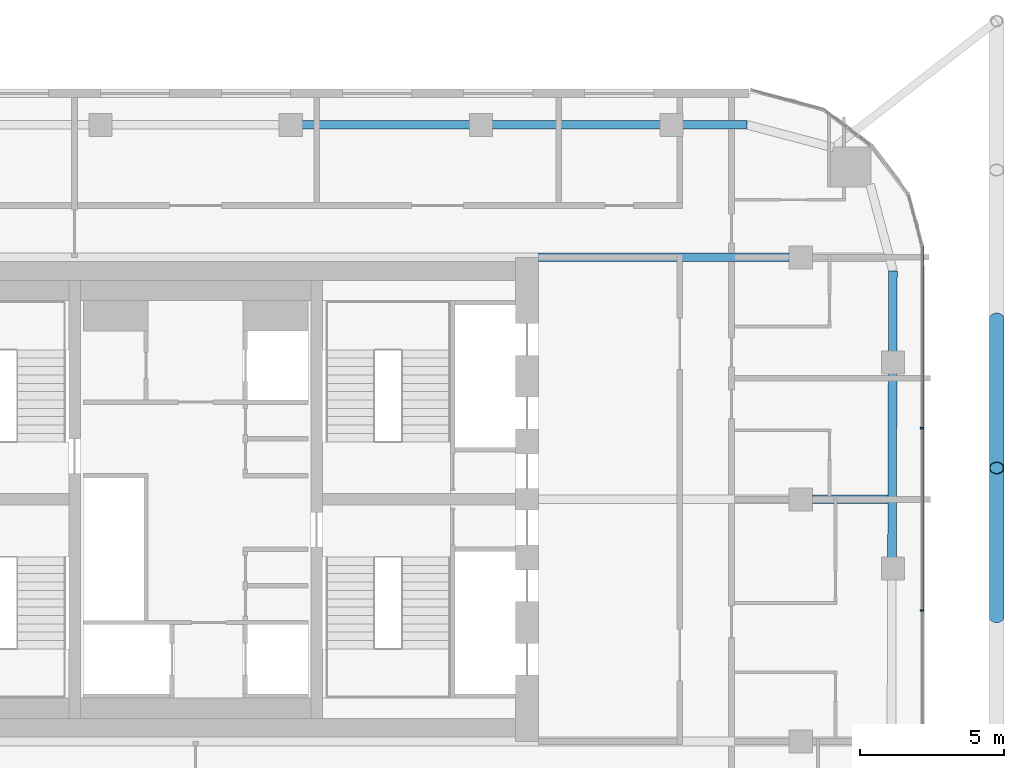
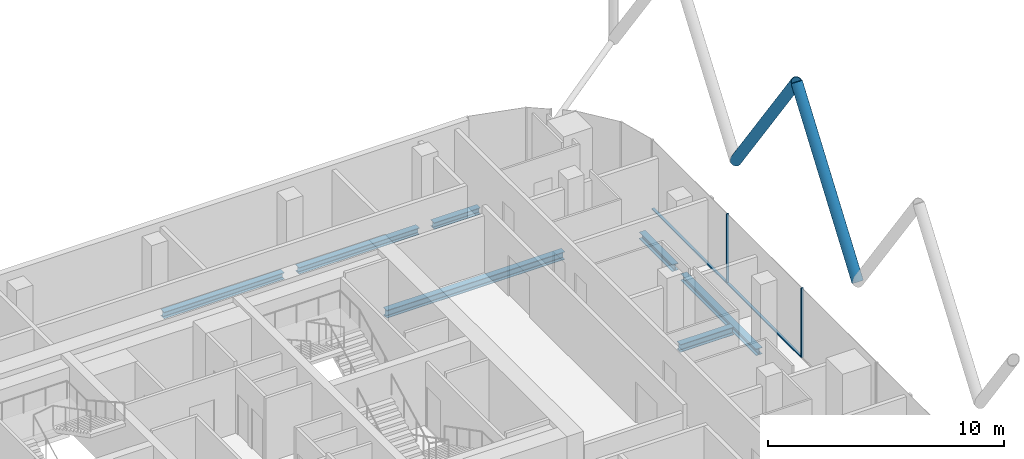
# One storey, part 10 of 28: 7 beams, 6 members, 1 element without a shape of its own.
"""IFC4 building model written with IfcOpenShell, lengths in metres."""

from ifc_helpers import new_model, si_unit, direction, frame, origin, origin_2d, place, context, subcontext, project, spatial, rectangle, hollow_circle, i_section, extrude, material, layer, layer_set, material_profile, profile_set, type_object, element, aggregate, save


model = new_model("IFC4")

# Units and contexts
model_context = context("Model", 3, precision=1e-05, world=origin(), true_north=direction((0.0, 1.0)))
body_context = subcontext(model_context, "Body", "Model", "MODEL_VIEW")
ifc_project = project(units=[si_unit("LENGTHUNIT", "METRE"), si_unit("AREAUNIT", "SQUARE_METRE"), si_unit("VOLUMEUNIT", "CUBIC_METRE"), si_unit("PLANEANGLEUNIT", "RADIAN"), si_unit("MASSUNIT", "GRAM", prefix="KILO")], contexts=[model_context])

# Site, building, storey
site_placement = place(None, origin())
site = spatial("IfcSite", under=ifc_project, at=site_placement, CompositionType="ELEMENT")
building_placement = place(site_placement, origin())
building = spatial("IfcBuilding", under=site, at=building_placement, Name="Marenta Gate Hotel Tower", CompositionType="ELEMENT")
storey_placement = place(building_placement, frame((0.0, 0.0, 212.89990234375)))
storey = spatial("IfcBuildingStorey", under=building, at=storey_placement, Name="L49", CompositionType="ELEMENT", Elevation=212.89990234375)

# Members
ifc_material_1 = material(Name="Steel S355J2W", Category="steel")
ifc_material_profile_1 = material_profile(ifc_material_1, hollow_circle(Radius=0.25390625, WallThickness=0.02490234375, at=origin_2d()), Name="CHS 508x25")
ifc_profile_set_1 = profile_set([ifc_material_profile_1], Name="Steel S355J2W")
member_type_1 = type_object("IfcMemberType", Name="Diagrid diagonal Z3 CHS 508x25", PredefinedType="BRACE", material=ifc_profile_set_1)
member_1_placement = place(storey_placement, frame((27.800048828125, 14.659912109375, 3.14013671875), z_axis=(0.0, -0.583260841117, 0.812284919975), x_axis=(1.0, 0.0, 0.0)))
element("IfcMember", 1, at=member_1_placement, inside=storey, type_object=member_type_1, Name="L49-DG-3", PredefinedType="BRACE", context=body_context, shape_type="SweptSolid", body=[
    extrude(hollow_circle(Radius=0.25390625, WallThickness=0.02490234375, at=origin_2d()), origin(), (0.0, 0.0, 1.0), 8.86376953125),
])
member_2_placement = place(storey_placement, frame((27.800048828125, 4.31982421875, 3.14013671875), z_axis=(0.0, 0.583279014058, 0.812271870595), x_axis=(-1.0, 0.0, 0.0)))
element("IfcMember", 2, at=member_2_placement, inside=storey, type_object=member_type_1, Name="L49-DG-4", PredefinedType="BRACE", context=body_context, shape_type="SweptSolid", body=[
    extrude(hollow_circle(Radius=0.25390625, WallThickness=0.02490234375, at=origin_2d()), origin(), (0.0, 0.0, 1.0), 8.864013671875),
])

# Beams
ifc_material_2 = material(Name="Steel S355", Category="steel")
ifc_material_profile_2 = material_profile(ifc_material_2, i_section(OverallWidth=0.300048828125, OverallDepth=0.340087890625, WebThickness=0.011962890625, FlangeThickness=0.021484375, FilletRadius=0.027099609375, at=origin_2d()), Name="HEB 340")
ifc_profile_set_2 = profile_set([ifc_material_profile_2], Name="Steel S355")
beam_type_1 = type_object("IfcBeamType", Name="Edge beam HEB 340", PredefinedType="SPANDREL", material=ifc_profile_set_2)
for number, where, z_axis, x_axis, name in (
    (3, (3.661376953125, 21.39990234375, -0.429931640625), (1.0, 0.0, 0.0), (0.0, 1.0, 0.0), "L49-EB-17"),
    (4, (10.26416015625, 21.39990234375, -0.429931640625), (1.0, 0.0, 0.0), (0.0, 1.0, 0.0), "L49-EB-18"),
):
    element("IfcBeam", number, at=place(storey_placement, frame(where, z_axis=z_axis, x_axis=x_axis)), inside=storey, type_object=beam_type_1, Name=name, PredefinedType="SPANDREL", context=body_context, shape_type="SweptSolid", body=[
        extrude(i_section(OverallWidth=0.300048828125, OverallDepth=0.340087890625, WebThickness=0.011962890625, FlangeThickness=0.021484375, FilletRadius=0.027099609375, at=origin_2d()), origin(), (0.0, 0.0, 1.0), 5.8828125),
    ])
beam_1_placement = place(storey_placement, frame((16.866943359375, 21.39990234375, -0.429931640625), z_axis=(1.0, 0.0, 0.0), x_axis=(0.0, 1.0, 0.0)))
element("IfcBeam", 5, at=beam_1_placement, inside=storey, type_object=beam_type_1, Name="L49-EB-19", PredefinedType="SPANDREL", context=body_context, shape_type="SweptSolid", body=[
    extrude(i_section(OverallWidth=0.300048828125, OverallDepth=0.340087890625, WebThickness=0.011962890625, FlangeThickness=0.021484375, FilletRadius=0.027099609375, at=origin_2d()), origin(), (0.0, 0.0, 1.0), 2.267578125),
])
beam_2_placement = place(storey_placement, frame((24.199951171875, 16.33447265625, -0.429931640625), z_axis=(-0.003292020626, -0.999994581285, 0.0), x_axis=(0.999994581285, -0.003292020626, 0.0)))
element("IfcBeam", 6, at=beam_2_placement, inside=storey, type_object=beam_type_1, Name="L49-EB-22", PredefinedType="SPANDREL", context=body_context, shape_type="SweptSolid", body=[
    extrude(i_section(OverallWidth=0.300048828125, OverallDepth=0.340087890625, WebThickness=0.011962890625, FlangeThickness=0.021484375, FilletRadius=0.027099609375, at=origin_2d()), origin(), (0.0, 0.0, 1.0), 2.818115234375),
])
beam_3_placement = place(storey_placement, frame((24.188232421875, 12.79638671875, -0.429931640625), z_axis=(-0.00333963982, -0.999994423387, 0.0), x_axis=(0.999994423387, -0.00333963982, 0.0)))
element("IfcBeam", 7, at=beam_3_placement, inside=storey, type_object=beam_type_1, Name="L49-EB-23", PredefinedType="SPANDREL", context=body_context, shape_type="SweptSolid", body=[
    extrude(i_section(OverallWidth=0.300048828125, OverallDepth=0.340087890625, WebThickness=0.011962890625, FlangeThickness=0.021484375, FilletRadius=0.027099609375, at=origin_2d()), origin(), (0.0, 0.0, 1.0), 6.43310546875),
])
ifc_material_3 = material(Name="Steel S355", Category="steel")
ifc_material_profile_3 = material_profile(ifc_material_3, i_section(OverallWidth=0.300048828125, OverallDepth=0.39990234375, WebThickness=0.013427734375, FlangeThickness=0.02392578125, FilletRadius=0.027099609375, at=origin_2d()), Name="HEB 400")
ifc_profile_set_3 = profile_set([ifc_material_profile_3], Name="Steel S355")
beam_type_2 = type_object("IfcBeamType", Name="Girder HEB 400", PredefinedType="BEAM", material=ifc_profile_set_3)
beam_4_placement = place(storey_placement, frame((21.39990234375, 8.39990234375, -0.4599609375), z_axis=(1.0, 0.0, 0.0), x_axis=(0.0, 1.0, 0.0)))
element("IfcBeam", 8, at=beam_4_placement, inside=storey, type_object=beam_type_2, Name="L49-GD-28", PredefinedType="BEAM", context=body_context, shape_type="SweptSolid", body=[
    extrude(i_section(OverallWidth=0.300048828125, OverallDepth=0.39990234375, WebThickness=0.013427734375, FlangeThickness=0.02392578125, FilletRadius=0.027099609375, at=origin_2d()), origin(), (0.0, 0.0, 1.0), 2.623779296875),
])
beam_5_placement = place(storey_placement, frame((11.89990234375, 16.800048828125, -0.4599609375), z_axis=(1.0, 0.0, 0.0), x_axis=(0.0, 1.0, 0.0)))
element("IfcBeam", 9, at=beam_5_placement, inside=storey, type_object=beam_type_2, Name="L49-GD-32", PredefinedType="BEAM", context=body_context, shape_type="SweptSolid", body=[
    extrude(i_section(OverallWidth=0.300048828125, OverallDepth=0.39990234375, WebThickness=0.013427734375, FlangeThickness=0.02392578125, FilletRadius=0.027099609375, at=origin_2d()), origin(), (0.0, 0.0, 1.0), 8.7001953125),
])

# Curtain wall, members
ifc_material_4 = material(Name="Tinted insulated glass in bronze anodised frame", Category="glass")
ifc_layer = layer(ifc_material_4, 0.1201171875)
ifc_layer_set = layer_set([ifc_layer], Name="Tinted insulated glass in bronze anodised frame")
curtain_wall_type = type_object("IfcCurtainWallType", Name="Tower unitised curtain wall CW1", PredefinedType="NOTDEFINED", material=ifc_layer_set)
curtain_wall_placement = place(storey_placement, origin())
curtain_wall = element("IfcCurtainWall", 10, at=curtain_wall_placement, inside=storey, type_object=curtain_wall_type, Name="CW1 run G19", PredefinedType="NOTDEFINED")
ifc_material_5 = material(Name="Bronze anodised aluminium", Category="aluminium")
ifc_material_profile_4 = material_profile(ifc_material_5, rectangle(XDim=0.1201171875, YDim=0.06005859375, at=origin_2d()), Name="Mullion CW1 60x120 bronze anodised aluminium")
ifc_profile_set_4 = profile_set([ifc_material_profile_4], Name="Bronze anodised aluminium")
member_type_2 = type_object("IfcMemberType", Name="Mullion CW1 60x120 bronze anodised aluminium", PredefinedType="MULLION", material=ifc_profile_set_4)
member_3_placement = place(storey_placement, frame((25.214111328125, 4.546630859375, 0.0), z_axis=(0.0, 0.0, 1.0), x_axis=(-1.0, 0.0, 0.0)))
member_3 = element("IfcMember", 11, at=member_3_placement, type_object=member_type_2, Name="CW1 mullion 5", PredefinedType="MULLION", context=body_context, shape_type="SweptSolid", body=[
    extrude(rectangle(XDim=0.1201171875, YDim=0.06005859375, at=origin_2d()), origin(), (0.0, 0.0, 1.0), 3.60009765625),
])
member_4_placement = place(storey_placement, frame((25.214111328125, 10.869384765625, 0.0), z_axis=(0.0, 0.0, 1.0), x_axis=(-1.0, 0.0, 0.0)))
member_4 = element("IfcMember", 12, at=member_4_placement, type_object=member_type_2, Name="CW1 mullion 6", PredefinedType="MULLION", context=body_context, shape_type="SweptSolid", body=[
    extrude(rectangle(XDim=0.1201171875, YDim=0.06005859375, at=origin_2d()), origin(), (0.0, 0.0, 1.0), 3.60009765625),
])
ifc_material_6 = material(Name="Bronze anodised aluminium", Category="aluminium")
ifc_material_profile_5 = material_profile(ifc_material_6, rectangle(XDim=0.1201171875, YDim=0.06005859375, at=origin_2d()), Name="Transom CW1 60x120 bronze anodised aluminium")
ifc_profile_set_5 = profile_set([ifc_material_profile_5], Name="Bronze anodised aluminium")
member_type_3 = type_object("IfcMemberType", Name="Transom CW1 60x120 bronze anodised aluminium", PredefinedType="USERDEFINED", material=ifc_profile_set_5)
member_5_placement = place(storey_placement, frame((25.214111328125, 4.57666015625, 0.030029296875), z_axis=(0.0, 1.0, 0.0), x_axis=(-1.0, 0.0, 0.0)))
member_5 = element("IfcMember", 13, at=member_5_placement, type_object=member_type_3, Name="CW1 transom 5.1", ObjectType="TRANSOM", PredefinedType="USERDEFINED", context=body_context, shape_type="SweptSolid", body=[
    extrude(rectangle(XDim=0.1201171875, YDim=0.06005859375, at=origin_2d()), origin(), (0.0, 0.0, 1.0), 6.2626953125),
])
member_6_placement = place(storey_placement, frame((25.214111328125, 10.899169921875, 0.030029296875), z_axis=(0.0, 1.0, 0.0), x_axis=(-1.0, 0.0, 0.0)))
member_6 = element("IfcMember", 14, at=member_6_placement, type_object=member_type_3, Name="CW1 transom 6.1", ObjectType="TRANSOM", PredefinedType="USERDEFINED", context=body_context, shape_type="SweptSolid", body=[
    extrude(rectangle(XDim=0.1201171875, YDim=0.06005859375, at=origin_2d()), origin(), (0.0, 0.0, 1.0), 6.292724609375),
])
aggregate(curtain_wall, [member_3, member_4, member_5, member_6])

save(model, "model.ifc")
